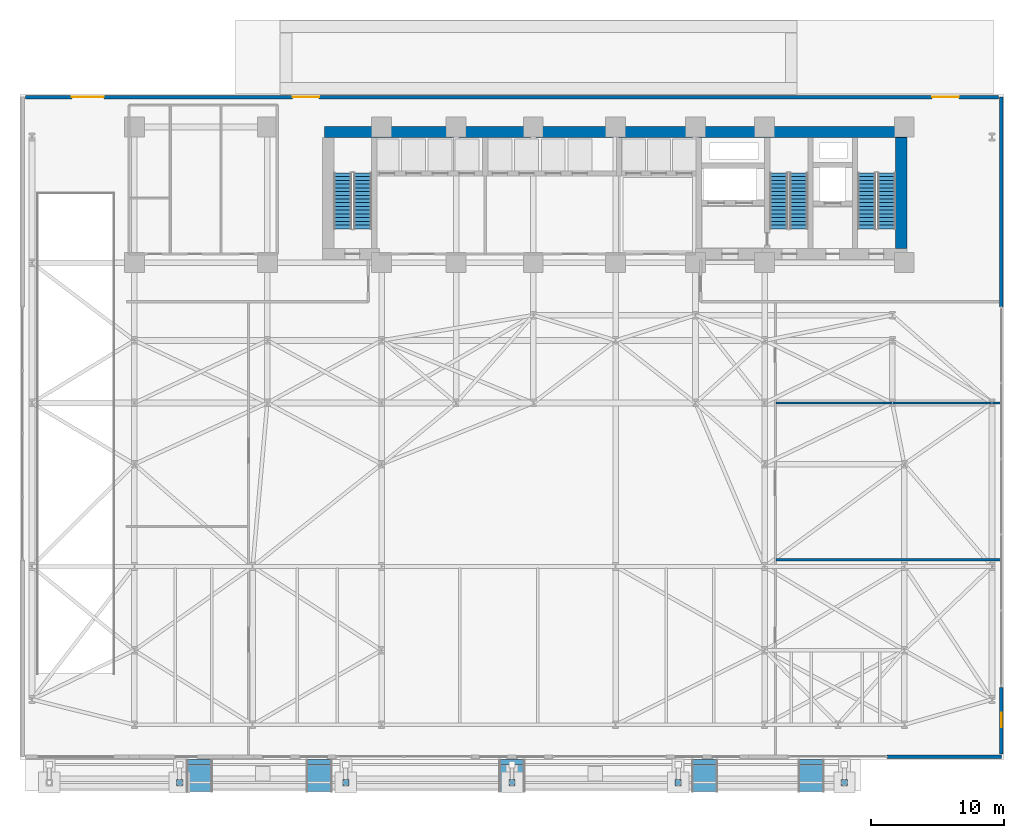
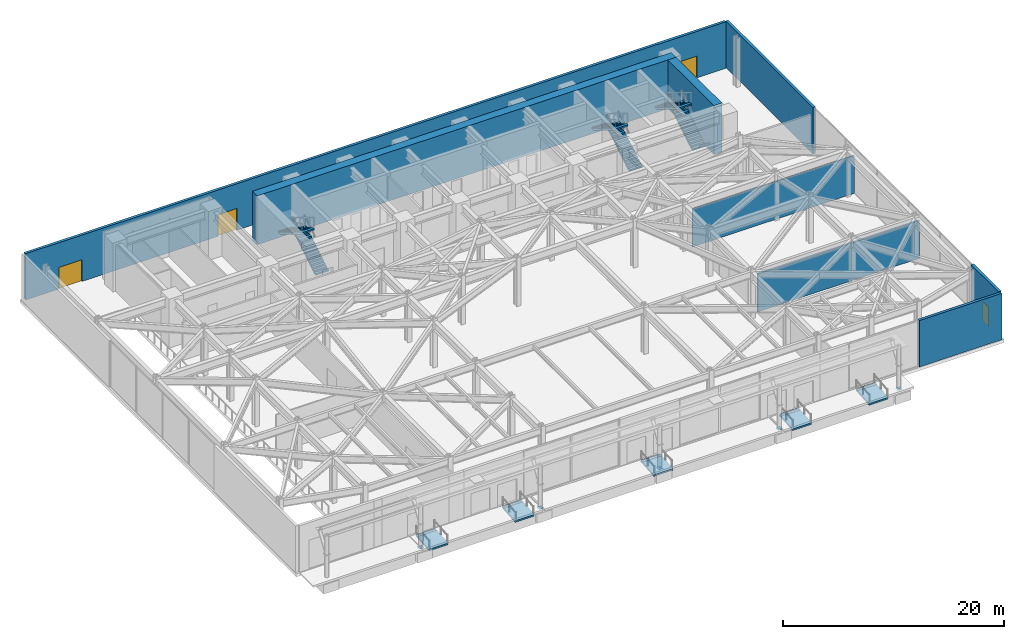
# One storey, part 27 of 31: 8 walls, 6 stair flights, 5 discrete accessories, 5 ramps, 5 ramp flights, 4 doors, 4 openings, 3 elements without a shape of their own.
"""IFC4 building model written with IfcOpenShell, lengths in metres."""

from ifc_helpers import new_model, si_unit, direction, frame, frame_2d, origin, origin_2d, place, context, subcontext, project, spatial, polyline, rectangle, outline, extrude, material, layer, layer_set, type_object, element, fill, aggregate, save


model = new_model("IFC4")

# Units and contexts
model_context = context("Model", 3, precision=1e-05, world=origin(), true_north=direction((0.0, 1.0)))
body_context = subcontext(model_context, "Body", "Model", "MODEL_VIEW")
ifc_project = project(units=[si_unit("LENGTHUNIT", "METRE"), si_unit("AREAUNIT", "SQUARE_METRE"), si_unit("VOLUMEUNIT", "CUBIC_METRE"), si_unit("PLANEANGLEUNIT", "RADIAN"), si_unit("MASSUNIT", "GRAM", prefix="KILO")], contexts=[model_context])

# Site, building, storey
site_placement = place(None, origin())
site = spatial("IfcSite", under=ifc_project, at=site_placement, CompositionType="ELEMENT")
building_placement = place(site_placement, origin())
building = spatial("IfcBuilding", under=site, at=building_placement, Name="Kravanh Interchange Tower", CompositionType="ELEMENT")
storey_placement = place(building_placement, origin())
storey = spatial("IfcBuildingStorey", under=building, at=storey_placement, Name="L00", CompositionType="ELEMENT", Elevation=0.0)

# Walls
ifc_material_1 = material(Name="Double Acoustic Gypsum Board and Mineral Wool")
ifc_layer_1 = layer(ifc_material_1, 0.1201171875)
ifc_layer_set_1 = layer_set([ifc_layer_1], Name="Acoustic Office Drywall Partition 120mm")
wall_type_1 = type_object("IfcWallType", Name="Acoustic Office Drywall Partition 120mm", PredefinedType="PARTITIONING", material=ifc_layer_set_1)
wall_1_placement = place(storey_placement, frame((56.867919921875, 26.800048828125, 0.0), z_axis=(0.0, 0.0, 1.0), x_axis=(1.0, 0.0, 0.0)))
element("IfcWall", 1, at=wall_1_placement, inside=storey, type_object=wall_type_1, Name="L00 Interior Partition 9", PredefinedType="PARTITIONING", context=body_context, shape_type="SweptSolid", body=[
    extrude(rectangle(XDim=16.93212890625, YDim=0.1201171875, at=frame_2d((8.466064453125, 0.0))), origin(), (0.0, 0.0, 1.0), 4.181884765625),
])
ifc_material_2 = material(Name="Concrete C80/95", Category="concrete")
ifc_layer_2 = layer(ifc_material_2, 0.85009765625)
ifc_layer_set_2 = layer_set([ifc_layer_2], Name="Core Shear Wall Concrete C80/95 850mm")
wall_type_2 = type_object("IfcWallType", Name="Core Shear Wall Concrete C80/95 850mm", PredefinedType="SHEAR", material=ifc_layer_set_2)
wall_2_placement = place(storey_placement, frame((22.89990234375, 47.175048828125, 0.0), z_axis=(0.0, 0.0, 1.0), x_axis=(1.0, 0.0, 0.0)))
element("IfcWall", 2, at=wall_2_placement, inside=storey, type_object=wall_type_2, Name="L00 North Core Shear Wall", PredefinedType="SHEAR", context=body_context, shape_type="SweptSolid", body=[
    extrude(rectangle(XDim=43.800048828125, YDim=0.85009765625, at=frame_2d((21.89990234375, 0.0))), origin(), (0.0, 0.0, 1.0), 5.39990234375),
])
wall_3_placement = place(storey_placement, frame((66.27490234375, 38.425048828125, 0.0), z_axis=(0.0, 0.0, 1.0), x_axis=(0.0, 1.0, 0.0)))
element("IfcWall", 3, at=wall_3_placement, inside=storey, type_object=wall_type_2, Name="L00 Stair ST1 East Shear Wall", PredefinedType="SHEAR", context=body_context, shape_type="SweptSolid", body=[
    extrude(rectangle(XDim=8.324951171875, YDim=0.85009765625, at=frame_2d((4.16259765625, 0.0))), origin(), (0.0, 0.0, 1.0), 5.39990234375),
])

# Wall, opening, door
ifc_material_3 = material(Name="Insulated Precast Concrete C40/50 with Bronze Cladding", Category="concrete")
ifc_layer_3 = layer(ifc_material_3, 0.280029296875)
ifc_layer_set_3 = layer_set([ifc_layer_3], Name="Exterior Insulated Concrete C40/50 Bronze Spandrel Wall 280mm")
wall_type_3 = type_object("IfcWallType", Name="Exterior Insulated Concrete C40/50 Bronze Spandrel Wall 280mm", PredefinedType="STANDARD", material=ifc_layer_set_3)
wall_4_placement = place(storey_placement, frame((73.800048828125, 5.39990234375, 0.0), z_axis=(0.0, 0.0, 1.0), x_axis=(0.0, -1.0, 0.0)))
wall_4 = element("IfcWall", 4, at=wall_4_placement, inside=storey, type_object=wall_type_3, Name="L00 Fire Command Exterior Wall", PredefinedType="STANDARD", context=body_context, shape_type="SweptSolid", body=[
    extrude(rectangle(XDim=5.0, YDim=0.280029296875, at=frame_2d((2.5, 0.0))), origin(), (0.0, 0.0, 1.0), 5.1298828125),
])
opening_1_placement = place(wall_4_placement, frame((1.89990234375, 0.0, 0.0)))
opening_1 = element("IfcOpeningElement", 5, at=opening_1_placement, cuts=wall_4, Name="Opening ED-TERR110", PredefinedType="OPENING", context=body_context, shape_type="SweptSolid", body=[
    extrude(rectangle(XDim=1.10009765625, YDim=2.199951171875, at=frame_2d((0.550048828125, 1.10009765625))), frame((0.0, 0.14990234375, 0.0), z_axis=(0.0, -1.0, 0.0), x_axis=(1.0, 0.0, 0.0)), (0.0, 0.0, 1.0), 0.300048828125),
])
ifc_material_4 = material(Name="Thermally Broken Bronze Aluminium and Laminated Glass", Category="aluminium")
door_type_1 = type_object("IfcDoorType", Name="Terrace Access Glazed Door 1100x2200", OperationType="NOTDEFINED", PredefinedType="DOOR", material=ifc_material_4)
door_1_placement = place(opening_1_placement, origin())
door_1 = element("IfcDoor", 6, at=door_1_placement, inside=storey, type_object=door_type_1, Name="Fire Command Room Exterior Street Door", OperationType="SINGLE_SWING_LEFT", OverallHeight=2.199951171875, OverallWidth=1.10009765625, PredefinedType="DOOR", context=body_context, shape_type="SweptSolid", body=[
    extrude(rectangle(XDim=1.10009765625, YDim=2.199951171875, at=frame_2d((0.550048828125, 1.10009765625))), frame((0.0, 0.02490234375, 0.0), z_axis=(0.0, -1.0, 0.0), x_axis=(1.0, 0.0, 0.0)), (0.0, 0.0, 1.0), 0.050048828125),
])
fill(opening_1, door_1)

# Wall, openings, doors
wall_5_placement = place(storey_placement, frame((0.39990234375, 49.800048828125, 0.0), z_axis=(0.0, 0.0, 1.0), x_axis=(1.0, 0.0, 0.0)))
wall_5 = element("IfcWall", 7, at=wall_5_placement, inside=storey, type_object=wall_type_3, Name="L00 North Boulevard Exterior Wall", PredefinedType="STANDARD", context=body_context, shape_type="SweptSolid", body=[
    extrude(rectangle(XDim=73.2001953125, YDim=0.280029296875, at=frame_2d((36.60009765625, 0.0))), origin(), (0.0, 0.0, 1.0), 5.1298828125),
])
opening_2_placement = place(wall_5_placement, frame((20.10009765625, 0.0, 0.0)))
opening_2 = element("IfcOpeningElement", 8, at=opening_2_placement, cuts=wall_5, Name="Opening ED-EXIT200", PredefinedType="OPENING", context=body_context, shape_type="SweptSolid", body=[
    extrude(rectangle(XDim=2.0, YDim=2.39990234375, at=frame_2d((1.0, 1.199951171875))), frame((0.0, 0.14990234375, 0.0), z_axis=(0.0, -1.0, 0.0), x_axis=(1.0, 0.0, 0.0)), (0.0, 0.0, 1.0), 0.300048828125),
])
opening_3_placement = place(wall_5_placement, frame((68.199951171875, 0.0, 0.0)))
opening_3 = element("IfcOpeningElement", 9, at=opening_3_placement, cuts=wall_5, Name="Opening ED-EXIT200", PredefinedType="OPENING", context=body_context, shape_type="SweptSolid", body=[
    extrude(rectangle(XDim=2.0, YDim=2.39990234375, at=frame_2d((1.0, 1.199951171875))), frame((0.0, 0.14990234375, 0.0), z_axis=(0.0, -1.0, 0.0), x_axis=(1.0, 0.0, 0.0)), (0.0, 0.0, 1.0), 0.300048828125),
])
opening_4_placement = place(wall_5_placement, frame((3.5, 0.0, 0.0)))
opening_4 = element("IfcOpeningElement", 10, at=opening_4_placement, cuts=wall_5, Name="Opening VG02", PredefinedType="OPENING", context=body_context, shape_type="SweptSolid", body=[
    extrude(rectangle(XDim=2.39990234375, YDim=2.39990234375, at=frame_2d((1.199951171875, 1.199951171875))), frame((0.0, 0.14990234375, 0.0), z_axis=(0.0, -1.0, 0.0), x_axis=(1.0, 0.0, 0.0)), (0.0, 0.0, 1.0), 0.300048828125),
])
ifc_material_5 = material(Name="Anodised Bronze Aluminium and Toughened Glass", Category="aluminium")
door_type_2 = type_object("IfcDoorType", Name="Concourse Double Exit Door 2000x2400", OperationType="DOUBLE_DOOR_SINGLE_SWING", PredefinedType="DOOR", material=ifc_material_5)
door_2_placement = place(opening_2_placement, origin())
door_2 = element("IfcDoor", 11, at=door_2_placement, inside=storey, type_object=door_type_2, Name="North Boulevard West Stair Discharge Door", OperationType="DOUBLE_DOOR_SINGLE_SWING", OverallHeight=2.39990234375, OverallWidth=2.0, PredefinedType="DOOR", context=body_context, shape_type="SweptSolid", body=[
    extrude(rectangle(XDim=2.0, YDim=2.39990234375, at=frame_2d((1.0, 1.199951171875))), frame((0.0, 0.02490234375, 0.0), z_axis=(0.0, -1.0, 0.0), x_axis=(1.0, 0.0, 0.0)), (0.0, 0.0, 1.0), 0.050048828125),
])
fill(opening_2, door_2)
door_3_placement = place(opening_3_placement, origin())
door_3 = element("IfcDoor", 12, at=door_3_placement, inside=storey, type_object=door_type_2, Name="North Boulevard East Stair Discharge Door", OperationType="DOUBLE_DOOR_SINGLE_SWING", OverallHeight=2.39990234375, OverallWidth=2.0, PredefinedType="DOOR", context=body_context, shape_type="SweptSolid", body=[
    extrude(rectangle(XDim=2.0, YDim=2.39990234375, at=frame_2d((1.0, 1.199951171875))), frame((0.0, 0.02490234375, 0.0), z_axis=(0.0, -1.0, 0.0), x_axis=(1.0, 0.0, 0.0)), (0.0, 0.0, 1.0), 0.050048828125),
])
fill(opening_3, door_3)
ifc_material_6 = material(Name="Structural Steel S355", Category="steel")
door_type_3 = type_object("IfcDoorType", Name="Transit Service Yard Gate 2400x2400", OperationType="DOUBLE_DOOR_SINGLE_SWING", PredefinedType="GATE", material=ifc_material_6)
door_4_placement = place(opening_4_placement, origin())
door_4 = element("IfcDoor", 13, at=door_4_placement, inside=storey, type_object=door_type_3, Name="North Service Yard Gate VG02", OperationType="DOUBLE_DOOR_SINGLE_SWING", OverallHeight=2.39990234375, OverallWidth=2.39990234375, PredefinedType="GATE", context=body_context, shape_type="SweptSolid", body=[
    extrude(rectangle(XDim=2.39990234375, YDim=2.39990234375, at=frame_2d((1.199951171875, 1.199951171875))), frame((0.0, 0.02490234375, 0.0), z_axis=(0.0, -1.0, 0.0), x_axis=(1.0, 0.0, 0.0)), (0.0, 0.0, 1.0), 0.050048828125),
])
fill(opening_4, door_4)

# Walls
wall_6_placement = place(storey_placement, frame((73.800048828125, 0.199951171875, 0.0), z_axis=(0.0, 0.0, 1.0), x_axis=(-1.0, 0.0, 0.0)))
element("IfcWall", 14, at=wall_6_placement, inside=storey, type_object=wall_type_3, Name="L00 Perimeter Closure Wall EW-L00-S-4", PredefinedType="STANDARD", context=body_context, shape_type="SweptSolid", body=[
    extrude(rectangle(XDim=8.60009765625, YDim=0.280029296875, at=frame_2d((4.300048828125, 0.0))), origin(), (0.0, 0.0, 1.0), 5.1298828125),
])
wall_7_placement = place(storey_placement, frame((73.800048828125, 34.0, 0.0), z_axis=(0.0, 0.0, 1.0), x_axis=(0.0, 1.0, 0.0)))
element("IfcWall", 15, at=wall_7_placement, inside=storey, type_object=wall_type_3, Name="L00 Perimeter Closure Wall EW-L00-E-2", PredefinedType="STANDARD", context=body_context, shape_type="SweptSolid", body=[
    extrude(rectangle(XDim=15.800048828125, YDim=0.280029296875, at=frame_2d((7.89990234375, 0.0))), origin(), (0.0, 0.0, 1.0), 5.1298828125),
])
ifc_material_7 = material(Name="Autoclaved Aerated Concrete C30/37 Blockwork", Category="masonry")
ifc_layer_4 = layer(ifc_material_7, 0.179931640625)
ifc_layer_set_4 = layer_set([ifc_layer_4], Name="Fire-Rated Lobby and Corridor Wall Concrete C30/37 180mm")
wall_type_4 = type_object("IfcWallType", Name="Fire-Rated Lobby and Corridor Wall Concrete C30/37 180mm", PredefinedType="STANDARD", material=ifc_layer_set_4)
wall_8_placement = place(storey_placement, frame((56.867919921875, 15.0, 0.0), z_axis=(0.0, 0.0, 1.0), x_axis=(1.0, 0.0, 0.0)))
element("IfcWall", 16, at=wall_8_placement, inside=storey, type_object=wall_type_4, Name="L00 Interior Partition 8", PredefinedType="STANDARD", context=body_context, shape_type="SweptSolid", body=[
    extrude(rectangle(XDim=16.93212890625, YDim=0.179931640625, at=frame_2d((8.466064453125, 0.0))), origin(), (0.0, 0.0, 1.0), 4.181884765625),
])

# Stair, stair flights
ifc_material_8 = material(Name="Concrete C50/60", Category="concrete")
stair_type = type_object("IfcStairType", Name="Core Fire Exit Dogleg Stair Concrete C50/60", PredefinedType="HALF_TURN_STAIR", material=ifc_material_8)
stair_1_placement = place(storey_placement, origin())
stair_1 = element("IfcStair", 17, at=stair_1_placement, inside=storey, type_object=stair_type, Name="L00 Exit Stair ST1", PredefinedType="HALF_TURN_STAIR")
ifc_material_9 = material(Name="Precast Concrete C50/60", Category="concrete")
ifc_layer_5 = layer(ifc_material_9, 0.199951171875)
ifc_layer_set_5 = layer_set([ifc_layer_5], Name="Precast Concrete C50/60 Stair Flight 1350mm")
stair_flight_type = type_object("IfcStairFlightType", Name="Precast Concrete C50/60 Stair Flight 1350mm", PredefinedType="STRAIGHT", material=ifc_layer_set_5)
stair_flight_1_placement = place(storey_placement, frame((65.175048828125, 39.89990234375, 0.0), z_axis=(0.0, 0.0, 1.0), x_axis=(0.0, 1.0, 0.0)))
stair_flight_1 = element("IfcStairFlight", 18, at=stair_flight_1_placement, type_object=stair_flight_type, Name="ST1 flight 1", NumberOfRisers=16, NumberOfTreads=15, PredefinedType="STRAIGHT", RiserHeight=0.16875, TreadLength=0.28, context=body_context, shape_type="SweptSolid", body=[
    extrude(outline(polyline([(0.0, 0.0), (0.0, 0.168701171875), (0.280029296875, 0.168701171875), (0.280029296875, 0.33740234375), (0.56005859375, 0.33740234375), (0.56005859375, 0.50634765625), (0.840087890625, 0.50634765625), (0.840087890625, 0.675048828125), (1.1201171875, 0.675048828125), (1.1201171875, 0.84375), (1.39990234375, 0.84375), (1.39990234375, 1.012451171875), (1.679931640625, 1.012451171875), (1.679931640625, 1.18115234375), (1.9599609375, 1.18115234375), (1.9599609375, 1.35009765625), (2.239990234375, 1.35009765625), (2.239990234375, 1.518798828125), (2.52001953125, 1.518798828125), (2.52001953125, 1.6875), (2.800048828125, 1.6875), (2.800048828125, 1.856201171875), (3.080078125, 1.856201171875), (3.080078125, 2.02490234375), (3.360107421875, 2.02490234375), (3.360107421875, 2.19384765625), (3.639892578125, 2.19384765625), (3.639892578125, 2.362548828125), (3.919921875, 2.362548828125), (3.919921875, 2.53125), (4.199951171875, 2.53125), (4.199951171875, 2.699951171875), (4.199951171875, 2.356201171875), (0.29052734375, 0.0), (0.0, 0.0)])), frame((0.0, 0.675048828125, 0.0), z_axis=(0.0, -1.0, 0.0), x_axis=(1.0, 0.0, 0.0)), (0.0, 0.0, 1.0), 1.35009765625),
])
stair_flight_2_placement = place(storey_placement, frame((63.675048828125, 44.10009765625, 2.699951171875), z_axis=(0.0, 0.0, 1.0), x_axis=(0.0, -1.0, 0.0)))
stair_flight_2 = element("IfcStairFlight", 19, at=stair_flight_2_placement, type_object=stair_flight_type, Name="ST1 flight 2", NumberOfRisers=16, NumberOfTreads=15, PredefinedType="STRAIGHT", RiserHeight=0.16875, TreadLength=0.28, context=body_context, shape_type="SweptSolid", body=[
    extrude(outline(polyline([(0.0, 0.0), (0.0, 0.168701171875), (0.280029296875, 0.168701171875), (0.280029296875, 0.33740234375), (0.56005859375, 0.33740234375), (0.56005859375, 0.50634765625), (0.840087890625, 0.50634765625), (0.840087890625, 0.675048828125), (1.1201171875, 0.675048828125), (1.1201171875, 0.84375), (1.39990234375, 0.84375), (1.39990234375, 1.012451171875), (1.679931640625, 1.012451171875), (1.679931640625, 1.18115234375), (1.9599609375, 1.18115234375), (1.9599609375, 1.35009765625), (2.239990234375, 1.35009765625), (2.239990234375, 1.518798828125), (2.52001953125, 1.518798828125), (2.52001953125, 1.6875), (2.800048828125, 1.6875), (2.800048828125, 1.856201171875), (3.080078125, 1.856201171875), (3.080078125, 2.02490234375), (3.360107421875, 2.02490234375), (3.360107421875, 2.19384765625), (3.639892578125, 2.19384765625), (3.639892578125, 2.362548828125), (3.919921875, 2.362548828125), (3.919921875, 2.53125), (4.199951171875, 2.53125), (4.199951171875, 2.699951171875), (4.199951171875, 2.356201171875), (0.29052734375, 0.0), (0.0, 0.0)])), frame((0.0, 0.675048828125, 0.0), z_axis=(0.0, -1.0, 0.0), x_axis=(1.0, 0.0, 0.0)), (0.0, 0.0, 1.0), 1.35009765625),
])
aggregate(stair_1, [stair_flight_1, stair_flight_2])

stair_2_placement = place(storey_placement, origin())
stair_2 = element("IfcStair", 20, at=stair_2_placement, inside=storey, type_object=stair_type, Name="L00 Exit Stair ST2", PredefinedType="HALF_TURN_STAIR")
stair_flight_3_placement = place(storey_placement, frame((58.574951171875, 39.89990234375, 0.0), z_axis=(0.0, 0.0, 1.0), x_axis=(0.0, 1.0, 0.0)))
stair_flight_3 = element("IfcStairFlight", 21, at=stair_flight_3_placement, type_object=stair_flight_type, Name="ST2 flight 1", NumberOfRisers=16, NumberOfTreads=15, PredefinedType="STRAIGHT", RiserHeight=0.16875, TreadLength=0.28, context=body_context, shape_type="SweptSolid", body=[
    extrude(outline(polyline([(0.0, 0.0), (0.0, 0.168701171875), (0.280029296875, 0.168701171875), (0.280029296875, 0.33740234375), (0.56005859375, 0.33740234375), (0.56005859375, 0.50634765625), (0.840087890625, 0.50634765625), (0.840087890625, 0.675048828125), (1.1201171875, 0.675048828125), (1.1201171875, 0.84375), (1.39990234375, 0.84375), (1.39990234375, 1.012451171875), (1.679931640625, 1.012451171875), (1.679931640625, 1.18115234375), (1.9599609375, 1.18115234375), (1.9599609375, 1.35009765625), (2.239990234375, 1.35009765625), (2.239990234375, 1.518798828125), (2.52001953125, 1.518798828125), (2.52001953125, 1.6875), (2.800048828125, 1.6875), (2.800048828125, 1.856201171875), (3.080078125, 1.856201171875), (3.080078125, 2.02490234375), (3.360107421875, 2.02490234375), (3.360107421875, 2.19384765625), (3.639892578125, 2.19384765625), (3.639892578125, 2.362548828125), (3.919921875, 2.362548828125), (3.919921875, 2.53125), (4.199951171875, 2.53125), (4.199951171875, 2.699951171875), (4.199951171875, 2.356201171875), (0.29052734375, 0.0), (0.0, 0.0)])), frame((0.0, 0.675048828125, 0.0), z_axis=(0.0, -1.0, 0.0), x_axis=(1.0, 0.0, 0.0)), (0.0, 0.0, 1.0), 1.35009765625),
])
stair_flight_4_placement = place(storey_placement, frame((57.074951171875, 44.10009765625, 2.699951171875), z_axis=(0.0, 0.0, 1.0), x_axis=(0.0, -1.0, 0.0)))
stair_flight_4 = element("IfcStairFlight", 22, at=stair_flight_4_placement, type_object=stair_flight_type, Name="ST2 flight 2", NumberOfRisers=16, NumberOfTreads=15, PredefinedType="STRAIGHT", RiserHeight=0.16875, TreadLength=0.28, context=body_context, shape_type="SweptSolid", body=[
    extrude(outline(polyline([(0.0, 0.0), (0.0, 0.168701171875), (0.280029296875, 0.168701171875), (0.280029296875, 0.33740234375), (0.56005859375, 0.33740234375), (0.56005859375, 0.50634765625), (0.840087890625, 0.50634765625), (0.840087890625, 0.675048828125), (1.1201171875, 0.675048828125), (1.1201171875, 0.84375), (1.39990234375, 0.84375), (1.39990234375, 1.012451171875), (1.679931640625, 1.012451171875), (1.679931640625, 1.18115234375), (1.9599609375, 1.18115234375), (1.9599609375, 1.35009765625), (2.239990234375, 1.35009765625), (2.239990234375, 1.518798828125), (2.52001953125, 1.518798828125), (2.52001953125, 1.6875), (2.800048828125, 1.6875), (2.800048828125, 1.856201171875), (3.080078125, 1.856201171875), (3.080078125, 2.02490234375), (3.360107421875, 2.02490234375), (3.360107421875, 2.19384765625), (3.639892578125, 2.19384765625), (3.639892578125, 2.362548828125), (3.919921875, 2.362548828125), (3.919921875, 2.53125), (4.199951171875, 2.53125), (4.199951171875, 2.699951171875), (4.199951171875, 2.356201171875), (0.29052734375, 0.0), (0.0, 0.0)])), frame((0.0, 0.675048828125, 0.0), z_axis=(0.0, -1.0, 0.0), x_axis=(1.0, 0.0, 0.0)), (0.0, 0.0, 1.0), 1.35009765625),
])
aggregate(stair_2, [stair_flight_3, stair_flight_4])

stair_3_placement = place(storey_placement, origin())
stair_3 = element("IfcStair", 23, at=stair_3_placement, inside=storey, type_object=stair_type, Name="L00 Exit Stair ST3", PredefinedType="HALF_TURN_STAIR")
stair_flight_5_placement = place(storey_placement, frame((25.77490234375, 39.89990234375, 0.0), z_axis=(0.0, 0.0, 1.0), x_axis=(0.0, 1.0, 0.0)))
stair_flight_5 = element("IfcStairFlight", 24, at=stair_flight_5_placement, type_object=stair_flight_type, Name="ST3 flight 1", NumberOfRisers=16, NumberOfTreads=15, PredefinedType="STRAIGHT", RiserHeight=0.16875, TreadLength=0.28, context=body_context, shape_type="SweptSolid", body=[
    extrude(outline(polyline([(0.0, 0.0), (0.0, 0.168701171875), (0.280029296875, 0.168701171875), (0.280029296875, 0.33740234375), (0.56005859375, 0.33740234375), (0.56005859375, 0.50634765625), (0.840087890625, 0.50634765625), (0.840087890625, 0.675048828125), (1.1201171875, 0.675048828125), (1.1201171875, 0.84375), (1.39990234375, 0.84375), (1.39990234375, 1.012451171875), (1.679931640625, 1.012451171875), (1.679931640625, 1.18115234375), (1.9599609375, 1.18115234375), (1.9599609375, 1.35009765625), (2.239990234375, 1.35009765625), (2.239990234375, 1.518798828125), (2.52001953125, 1.518798828125), (2.52001953125, 1.6875), (2.800048828125, 1.6875), (2.800048828125, 1.856201171875), (3.080078125, 1.856201171875), (3.080078125, 2.02490234375), (3.360107421875, 2.02490234375), (3.360107421875, 2.19384765625), (3.639892578125, 2.19384765625), (3.639892578125, 2.362548828125), (3.919921875, 2.362548828125), (3.919921875, 2.53125), (4.199951171875, 2.53125), (4.199951171875, 2.699951171875), (4.199951171875, 2.356201171875), (0.29052734375, 0.0), (0.0, 0.0)])), frame((0.0, 0.675048828125, 0.0), z_axis=(0.0, -1.0, 0.0), x_axis=(1.0, 0.0, 0.0)), (0.0, 0.0, 1.0), 1.35009765625),
])
stair_flight_6_placement = place(storey_placement, frame((24.27490234375, 44.10009765625, 2.699951171875), z_axis=(0.0, 0.0, 1.0), x_axis=(0.0, -1.0, 0.0)))
stair_flight_6 = element("IfcStairFlight", 25, at=stair_flight_6_placement, type_object=stair_flight_type, Name="ST3 flight 2", NumberOfRisers=16, NumberOfTreads=15, PredefinedType="STRAIGHT", RiserHeight=0.16875, TreadLength=0.28, context=body_context, shape_type="SweptSolid", body=[
    extrude(outline(polyline([(0.0, 0.0), (0.0, 0.168701171875), (0.280029296875, 0.168701171875), (0.280029296875, 0.33740234375), (0.56005859375, 0.33740234375), (0.56005859375, 0.50634765625), (0.840087890625, 0.50634765625), (0.840087890625, 0.675048828125), (1.1201171875, 0.675048828125), (1.1201171875, 0.84375), (1.39990234375, 0.84375), (1.39990234375, 1.012451171875), (1.679931640625, 1.012451171875), (1.679931640625, 1.18115234375), (1.9599609375, 1.18115234375), (1.9599609375, 1.35009765625), (2.239990234375, 1.35009765625), (2.239990234375, 1.518798828125), (2.52001953125, 1.518798828125), (2.52001953125, 1.6875), (2.800048828125, 1.6875), (2.800048828125, 1.856201171875), (3.080078125, 1.856201171875), (3.080078125, 2.02490234375), (3.360107421875, 2.02490234375), (3.360107421875, 2.19384765625), (3.639892578125, 2.19384765625), (3.639892578125, 2.362548828125), (3.919921875, 2.362548828125), (3.919921875, 2.53125), (4.199951171875, 2.53125), (4.199951171875, 2.699951171875), (4.199951171875, 2.356201171875), (0.29052734375, 0.0), (0.0, 0.0)])), frame((0.0, 0.675048828125, 0.0), z_axis=(0.0, -1.0, 0.0), x_axis=(1.0, 0.0, 0.0)), (0.0, 0.0, 1.0), 1.35009765625),
])
aggregate(stair_3, [stair_flight_5, stair_flight_6])

# Ramp
ifc_material_10 = material(Name="Concrete C50/60", Category="concrete")
ramp_type = type_object("IfcRampType", Name="Accessible Pedestrian Ramp Concrete C50/60", PredefinedType="STRAIGHT_RUN_RAMP", material=ifc_material_10)
ramp_1_placement = place(storey_placement, frame((13.5, -0.199951171875, -0.090087890625), z_axis=(0.0, 0.0, 1.0), x_axis=(1.0, 0.0, 0.0)))
ramp_1 = element("IfcRamp", 26, at=ramp_1_placement, inside=storey, type_object=ramp_type, Name="Plaza Accessible Pedestrian Ramp 1", PredefinedType="STRAIGHT_RUN_RAMP", context=body_context, shape_type="SweptSolid", body=[
    extrude(rectangle(XDim=2.0, YDim=0.35009765625, at=origin_2d()), origin(), (0.0, 0.0, 1.0), 0.080078125),
])

ramp_2_placement = place(storey_placement, frame((22.5, -0.199951171875, -0.090087890625), z_axis=(0.0, 0.0, 1.0), x_axis=(1.0, 0.0, 0.0)))
ramp_2 = element("IfcRamp", 27, at=ramp_2_placement, inside=storey, type_object=ramp_type, Name="Plaza Accessible Pedestrian Ramp 2", PredefinedType="STRAIGHT_RUN_RAMP", context=body_context, shape_type="SweptSolid", body=[
    extrude(rectangle(XDim=2.0, YDim=0.35009765625, at=origin_2d()), origin(), (0.0, 0.0, 1.0), 0.080078125),
])

ramp_3_placement = place(storey_placement, frame((37.0, -0.199951171875, -0.090087890625), z_axis=(0.0, 0.0, 1.0), x_axis=(1.0, 0.0, 0.0)))
ramp_3 = element("IfcRamp", 28, at=ramp_3_placement, inside=storey, type_object=ramp_type, Name="Plaza Accessible Pedestrian Ramp 3", PredefinedType="STRAIGHT_RUN_RAMP", context=body_context, shape_type="SweptSolid", body=[
    extrude(rectangle(XDim=2.0, YDim=0.35009765625, at=origin_2d()), origin(), (0.0, 0.0, 1.0), 0.080078125),
])

ramp_4_placement = place(storey_placement, frame((51.5, -0.199951171875, -0.090087890625), z_axis=(0.0, 0.0, 1.0), x_axis=(1.0, 0.0, 0.0)))
ramp_4 = element("IfcRamp", 29, at=ramp_4_placement, inside=storey, type_object=ramp_type, Name="Plaza Accessible Pedestrian Ramp 4", PredefinedType="STRAIGHT_RUN_RAMP", context=body_context, shape_type="SweptSolid", body=[
    extrude(rectangle(XDim=2.0, YDim=0.35009765625, at=origin_2d()), origin(), (0.0, 0.0, 1.0), 0.080078125),
])

ramp_5_placement = place(storey_placement, frame((59.5, -0.199951171875, -0.090087890625), z_axis=(0.0, 0.0, 1.0), x_axis=(1.0, 0.0, 0.0)))
ramp_5 = element("IfcRamp", 30, at=ramp_5_placement, inside=storey, type_object=ramp_type, Name="Plaza Accessible Pedestrian Ramp 5", PredefinedType="STRAIGHT_RUN_RAMP", context=body_context, shape_type="SweptSolid", body=[
    extrude(rectangle(XDim=2.0, YDim=0.35009765625, at=origin_2d()), origin(), (0.0, 0.0, 1.0), 0.080078125),
])

# Ramp flight
ifc_material_11 = material(Name="Concrete C50/60", Category="concrete")
ifc_layer_6 = layer(ifc_material_11, 0.199951171875)
ifc_layer_set_6 = layer_set([ifc_layer_6], Name="Pedestrian Ramp Flight Slab Concrete C50/60 200mm")
ramp_flight_type = type_object("IfcRampFlightType", Name="Pedestrian Ramp Flight Slab Concrete C50/60 200mm", PredefinedType="STRAIGHT", material=ifc_layer_set_6)
ramp_flight_1_placement = place(storey_placement, frame((12.5, -2.419921875, -0.199951171875), z_axis=(0.0, -0.083028700011, 0.996547156423), x_axis=(1.0, 0.0, 0.0)))
ramp_flight_1 = element("IfcRampFlight", 31, at=ramp_flight_1_placement, type_object=ramp_flight_type, Name="Plaza Accessible Pedestrian Ramp 1 Flight", PredefinedType="STRAIGHT", context=body_context, shape_type="SweptSolid", body=[
    extrude(outline(polyline([(0.0, 0.0), (2.0, 0.0), (2.0, 2.408217542223071), (0.0, 2.408217542223071), (0.0, 0.0)])), origin(), (0.0, 0.0, -1.0), 0.199951171875),
])

aggregate(ramp_1, [ramp_flight_1])

ramp_flight_2_placement = place(storey_placement, frame((21.5, -2.419921875, -0.199951171875), z_axis=(0.0, -0.083028700011, 0.996547156423), x_axis=(1.0, 0.0, 0.0)))
ramp_flight_2 = element("IfcRampFlight", 32, at=ramp_flight_2_placement, type_object=ramp_flight_type, Name="Plaza Accessible Pedestrian Ramp 2 Flight", PredefinedType="STRAIGHT", context=body_context, shape_type="SweptSolid", body=[
    extrude(outline(polyline([(0.0, 0.0), (2.0, 0.0), (2.0, 2.408217542223071), (0.0, 2.408217542223071), (0.0, 0.0)])), origin(), (0.0, 0.0, -1.0), 0.199951171875),
])

aggregate(ramp_2, [ramp_flight_2])

ramp_flight_3_placement = place(storey_placement, frame((36.0, -2.419921875, -0.199951171875), z_axis=(0.0, -0.083028700011, 0.996547156423), x_axis=(1.0, 0.0, 0.0)))
ramp_flight_3 = element("IfcRampFlight", 33, at=ramp_flight_3_placement, type_object=ramp_flight_type, Name="Plaza Accessible Pedestrian Ramp 3 Flight", PredefinedType="STRAIGHT", context=body_context, shape_type="SweptSolid", body=[
    extrude(outline(polyline([(0.0, 0.0), (2.0, 0.0), (2.0, 2.408217542223071), (0.0, 2.408217542223071), (0.0, 0.0)])), origin(), (0.0, 0.0, -1.0), 0.199951171875),
])

aggregate(ramp_3, [ramp_flight_3])

ramp_flight_4_placement = place(storey_placement, frame((50.5, -2.419921875, -0.199951171875), z_axis=(0.0, -0.083028700011, 0.996547156423), x_axis=(1.0, 0.0, 0.0)))
ramp_flight_4 = element("IfcRampFlight", 34, at=ramp_flight_4_placement, type_object=ramp_flight_type, Name="Plaza Accessible Pedestrian Ramp 4 Flight", PredefinedType="STRAIGHT", context=body_context, shape_type="SweptSolid", body=[
    extrude(outline(polyline([(0.0, 0.0), (2.0, 0.0), (2.0, 2.408217542223071), (0.0, 2.408217542223071), (0.0, 0.0)])), origin(), (0.0, 0.0, -1.0), 0.199951171875),
])

aggregate(ramp_4, [ramp_flight_4])

ramp_flight_5_placement = place(storey_placement, frame((58.5, -2.419921875, -0.199951171875), z_axis=(0.0, -0.083028700011, 0.996547156423), x_axis=(1.0, 0.0, 0.0)))
ramp_flight_5 = element("IfcRampFlight", 35, at=ramp_flight_5_placement, type_object=ramp_flight_type, Name="Plaza Accessible Pedestrian Ramp 5 Flight", PredefinedType="STRAIGHT", context=body_context, shape_type="SweptSolid", body=[
    extrude(outline(polyline([(0.0, 0.0), (2.0, 0.0), (2.0, 2.408217542223071), (0.0, 2.408217542223071), (0.0, 0.0)])), origin(), (0.0, 0.0, -1.0), 0.199951171875),
])

aggregate(ramp_5, [ramp_flight_5])

# Discrete accessories
ifc_material_12 = material(Name="Structural Steel S450", Category="steel")
discrete_accessory_type = type_object("IfcDiscreteAccessoryType", Name="Column Base Anchor Plate Assembly Structural Steel S450", PredefinedType="ANCHORPLATE", material=ifc_material_12)
for number, where, z_axis, x_axis, name in (
    (36, (12.0, -1.75, -0.199951171875), (0.0, 0.0, 1.0), (1.0, 0.0, 0.0), "Canopy Column Base Anchor Plate 1"),
    (37, (24.5, -1.75, -0.199951171875), (0.0, 0.0, 1.0), (1.0, 0.0, 0.0), "Canopy Column Base Anchor Plate 2"),
    (38, (37.0, -1.75, -0.199951171875), (0.0, 0.0, 1.0), (1.0, 0.0, 0.0), "Canopy Column Base Anchor Plate 3"),
    (39, (49.5, -1.75, -0.199951171875), (0.0, 0.0, 1.0), (1.0, 0.0, 0.0), "Canopy Column Base Anchor Plate 4"),
    (40, (62.0, -1.75, -0.199951171875), (0.0, 0.0, 1.0), (1.0, 0.0, 0.0), "Canopy Column Base Anchor Plate 5"),
):
    element("IfcDiscreteAccessory", number, at=place(storey_placement, frame(where, z_axis=z_axis, x_axis=x_axis)), inside=storey, type_object=discrete_accessory_type, Name=name, PredefinedType="ANCHORPLATE", context=body_context, shape_type="SweptSolid", body=[
        extrude(rectangle(XDim=0.449951171875, YDim=0.449951171875, at=origin_2d()), origin(), (0.0, 0.0, 1.0), 0.0400390625),
    ])

save(model, "model.ifc")
